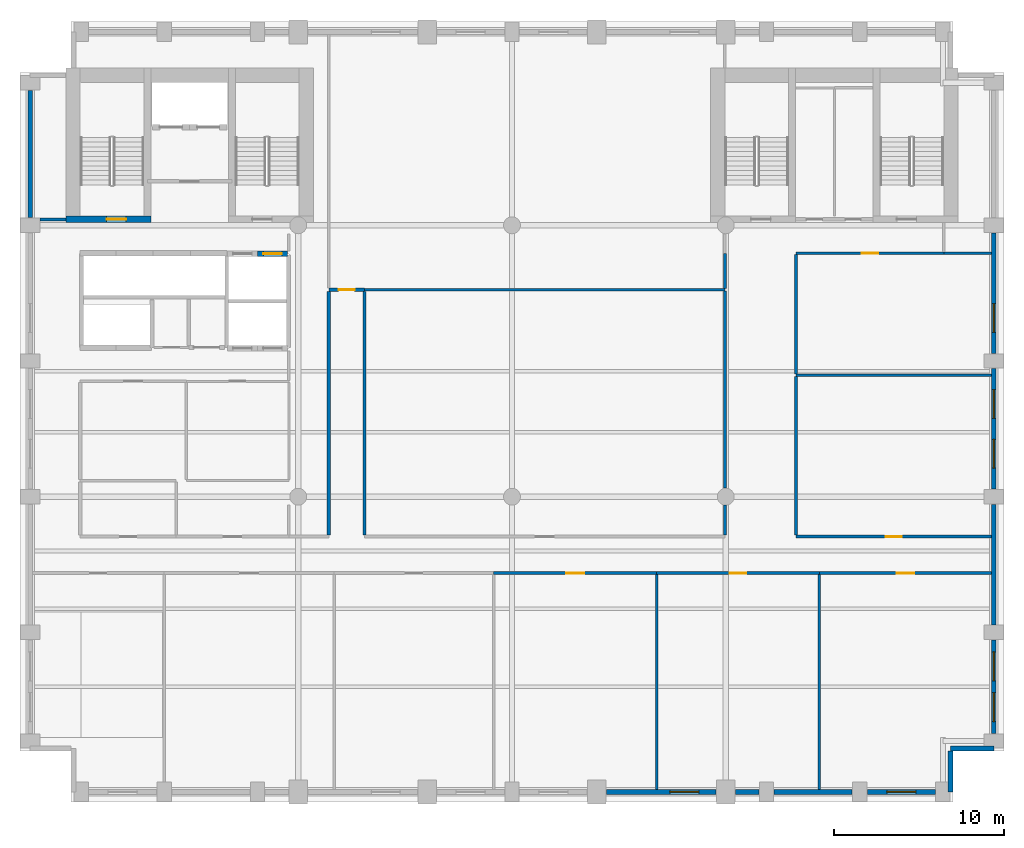
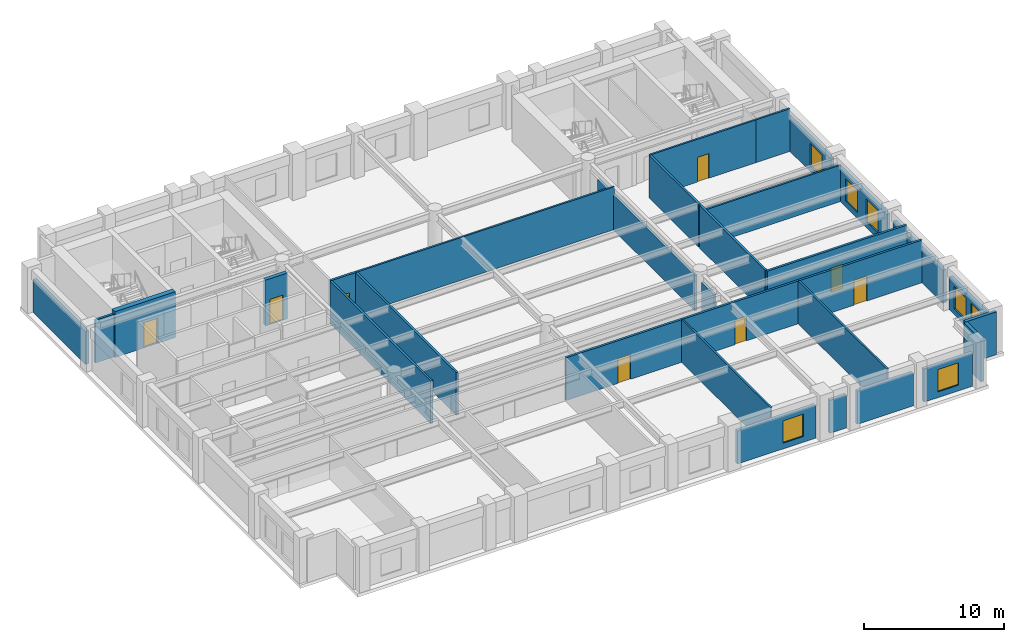
# One storey, part 4 of 9: 32 walls, 8 doors, 7 windows, 15 openings.
"""IFC4 building model written with IfcOpenShell, lengths in metres."""

from ifc_helpers import new_model, si_unit, direction, frame, frame_2d, origin, place, context, subcontext, project, spatial, rectangle, extrude, material, layer, layer_set, type_object, element, fill, save


model = new_model("IFC4")

# Units and contexts
model_context = context("Model", 3, precision=1e-05, world=origin(), true_north=direction((0.0, 1.0)))
body_context = subcontext(model_context, "Body", "Model", "MODEL_VIEW")
ifc_project = project(units=[si_unit("LENGTHUNIT", "METRE"), si_unit("AREAUNIT", "SQUARE_METRE"), si_unit("VOLUMEUNIT", "CUBIC_METRE"), si_unit("PLANEANGLEUNIT", "RADIAN"), si_unit("MASSUNIT", "GRAM", prefix="KILO")], contexts=[model_context])

# Site, building, storey
site_placement = place(None, origin())
site = spatial("IfcSite", under=ifc_project, at=site_placement, CompositionType="ELEMENT")
building_placement = place(site_placement, origin())
building = spatial("IfcBuilding", under=site, at=building_placement, Name="Sulina Concourse Tower", CompositionType="ELEMENT")
storey_placement = place(building_placement, frame((0.0, 0.0, 96.60009765625)))
storey = spatial("IfcBuildingStorey", under=building, at=storey_placement, Name="L23", CompositionType="ELEMENT", Elevation=96.60009765625)

# Wall, opening, door
ifc_material_1 = material(Name="Concrete C50/60", Category="concrete")
ifc_layer_1 = layer(ifc_material_1, 0.300048828125)
ifc_layer_set_1 = layer_set([ifc_layer_1], Name="Concrete C50/60")
wall_type_1 = type_object("IfcWallType", Name="Core Lift Hoistway Wall 300mm", PredefinedType="SOLIDWALL", material=ifc_layer_set_1)
wall_1_placement = place(storey_placement, frame((14.0, 32.320068359375, 0.0), z_axis=(0.0, 0.0, 1.0), x_axis=(1.0, 0.0, 0.0)))
wall_1 = element("IfcWall", 1, at=wall_1_placement, inside=storey, type_object=wall_type_1, Name="L23 hoistway enclosure wall LP-08", PredefinedType="SOLIDWALL", context=body_context, shape_type="SweptSolid", body=[
    extrude(rectangle(XDim=1.780029296875, YDim=0.300048828125, at=frame_2d((0.89013671875, 0.0))), origin(), (0.0, 0.0, 1.0), 4.0),
])
opening_1_placement = place(wall_1_placement, frame((0.340087890625, 0.0, 0.0)))
opening_1 = element("IfcOpeningElement", 2, at=opening_1_placement, cuts=wall_1, Name="Opening LD-01", PredefinedType="OPENING", context=body_context, shape_type="SweptSolid", body=[
    extrude(rectangle(XDim=1.10009765625, YDim=2.199951171875, at=frame_2d((0.550048828125, 1.10009765625))), frame((0.0, 0.159912109375, 0.0), z_axis=(0.0, -1.0, 0.0), x_axis=(1.0, 0.0, 0.0)), (0.0, 0.0, 1.0), 0.320068359375),
])
ifc_material_2 = material(Name="Stainless steel lift landing door", Category="steel")
ifc_layer_2 = layer(ifc_material_2, 0.050048828125)
ifc_layer_set_2 = layer_set([ifc_layer_2], Name="Stainless steel lift landing door")
door_type_1 = type_object("IfcDoorType", Name="Passenger Lift Sliding Landing Door 1100x2200", OperationType="SLIDING_TO_LEFT", PredefinedType="DOOR", material=ifc_layer_set_2)
door_1_placement = place(opening_1_placement, origin())
door_1 = element("IfcDoor", 3, at=door_1_placement, inside=storey, type_object=door_type_1, Name="L23 lift landing sliding door LP-08", OperationType="SLIDING_TO_RIGHT", OverallHeight=2.199951171875, OverallWidth=1.10009765625, PredefinedType="DOOR", context=body_context, shape_type="SweptSolid", body=[
    extrude(rectangle(XDim=1.10009765625, YDim=2.199951171875, at=frame_2d((0.550048828125, 1.10009765625))), frame((0.0, 0.02490234375, 0.0), z_axis=(0.0, -1.0, 0.0), x_axis=(1.0, 0.0, 0.0)), (0.0, 0.0, 1.0), 0.050048828125),
])
fill(opening_1, door_1)

# Walls
ifc_material_3 = material(Name="Gypsum board on steel stud", Category="steel")
ifc_layer_3 = layer(ifc_material_3, 0.14990234375)
ifc_layer_set_3 = layer_set([ifc_layer_3], Name="Gypsum board on steel stud")
wall_type_2 = type_object("IfcWallType", Name="Inter-Tenancy Acoustic Partition 150mm", PredefinedType="PARTITIONING", material=ifc_layer_set_3)
wall_2_placement = place(storey_placement, frame((45.75, 25.14990234375, 0.0), z_axis=(0.0, 0.0, 1.0), x_axis=(1.0, 0.0, 0.0)))
element("IfcWall", 4, at=wall_2_placement, inside=storey, type_object=wall_type_2, Name="L23 interior partition 016", PredefinedType="PARTITIONING", context=body_context, shape_type="SweptSolid", body=[
    extrude(rectangle(XDim=11.510009765625, YDim=0.14990234375, at=frame_2d((5.7548828125, 0.0))), origin(), (0.0, 0.0, 1.0), 3.169921875),
])
wall_3_placement = place(storey_placement, frame((20.300048828125, 30.199951171875, 0.0), z_axis=(0.0, 0.0, 1.0), x_axis=(1.0, 0.0, 0.0)))
element("IfcWall", 5, at=wall_3_placement, inside=storey, type_object=wall_type_2, Name="L23 interior partition 020", PredefinedType="PARTITIONING", context=body_context, shape_type="SweptSolid", body=[
    extrude(rectangle(XDim=21.25, YDim=0.14990234375, at=frame_2d((10.625, 0.0))), origin(), (0.0, 0.0, 1.0), 3.724853515625),
])

# Wall, opening, door
wall_4_placement = place(storey_placement, frame((45.75, 32.35009765625, 0.0), z_axis=(0.0, 0.0, 1.0), x_axis=(1.0, 0.0, 0.0)))
wall_4 = element("IfcWall", 6, at=wall_4_placement, inside=storey, type_object=wall_type_2, Name="L23 interior partition 021", PredefinedType="PARTITIONING", context=body_context, shape_type="SweptSolid", body=[
    extrude(rectangle(XDim=8.699951171875, YDim=0.14990234375, at=frame_2d((4.35009765625, 0.0))), origin(), (0.0, 0.0, 1.0), 3.724853515625),
])
opening_2_placement = place(wall_4_placement, frame((3.875, 0.0, 0.0)))
opening_2 = element("IfcOpeningElement", 7, at=opening_2_placement, cuts=wall_4, Name="Opening DR-19", PredefinedType="OPENING", context=body_context, shape_type="SweptSolid", body=[
    extrude(rectangle(XDim=0.949951171875, YDim=2.14990234375, at=frame_2d((0.47509765625, 1.074951171875))), frame((0.0, 0.0849609375, 0.0), z_axis=(0.0, -1.0, 0.0), x_axis=(1.0, 0.0, 0.0)), (0.0, 0.0, 1.0), 0.169921875),
])
ifc_material_4 = material(Name="Oak-veneered acoustic timber leaf", Category="wood")
ifc_layer_4 = layer(ifc_material_4, 0.050048828125)
ifc_layer_set_4 = layer_set([ifc_layer_4], Name="Oak-veneered acoustic timber leaf")
door_type_2 = type_object("IfcDoorType", Name="Cellular Office & Meeting Door 950x2150", OperationType="NOTDEFINED", PredefinedType="DOOR", material=ifc_layer_set_4)
door_2_placement = place(opening_2_placement, origin())
door_2 = element("IfcDoor", 8, at=door_2_placement, inside=storey, type_object=door_type_2, Name="L23 interior door L23-NE2", OperationType="SINGLE_SWING_LEFT", OverallHeight=2.14990234375, OverallWidth=0.949951171875, PredefinedType="DOOR", context=body_context, shape_type="SweptSolid", body=[
    extrude(rectangle(XDim=0.949951171875, YDim=2.14990234375, at=frame_2d((0.47509765625, 1.074951171875))), frame((0.0, 0.02490234375, 0.0), z_axis=(0.0, -1.0, 0.0), x_axis=(1.0, 0.0, 0.0)), (0.0, 0.0, 1.0), 0.050048828125),
])
fill(opening_2, door_2)

# Walls
wall_5_placement = place(storey_placement, frame((54.449951171875, 32.35009765625, 0.0), z_axis=(0.0, 0.0, 1.0), x_axis=(1.0, 0.0, 0.0)))
element("IfcWall", 9, at=wall_5_placement, inside=storey, type_object=wall_type_2, Name="L23 interior partition 022", PredefinedType="PARTITIONING", context=body_context, shape_type="SweptSolid", body=[
    extrude(rectangle(XDim=2.81005859375, YDim=0.14990234375, at=frame_2d((1.405029296875, 0.0))), origin(), (0.0, 0.0, 1.0), 3.724853515625),
])
for number, where, z_axis, x_axis, name in (
    (10, (37.52001953125, 0.739990234375, 0.0), (0.0, 0.0, 1.0), (0.0, 1.0, 0.0), "L23 interior partition 041"),
    (11, (47.1201171875, 0.739990234375, 0.0), (0.0, 0.0, 1.0), (0.0, 1.0, 0.0), "L23 interior partition 049"),
):
    element("IfcWall", number, at=place(storey_placement, frame(where, z_axis=z_axis, x_axis=x_axis)), inside=storey, type_object=wall_type_2, Name=name, PredefinedType="PARTITIONING", context=body_context, shape_type="SweptSolid", body=[
        extrude(rectangle(XDim=12.669921875, YDim=0.14990234375, at=frame_2d((6.3349609375, 0.0))), origin(), (0.0, 0.0, 1.0), 3.724853515625),
    ])

# Wall, opening, door
ifc_material_5 = material(Name="Gypsum board on steel stud", Category="steel")
ifc_layer_5 = layer(ifc_material_5, 0.179931640625)
ifc_layer_set_5 = layer_set([ifc_layer_5], Name="Gypsum board on steel stud")
wall_type_3 = type_object("IfcWallType", Name="Protected Corridor & Riser Partition 180mm", PredefinedType="PARTITIONING", material=ifc_layer_set_5)
wall_6_placement = place(storey_placement, frame((27.919921875, 13.5, 0.0), z_axis=(0.0, 0.0, 1.0), x_axis=(1.0, 0.0, 0.0)))
wall_6 = element("IfcWall", 12, at=wall_6_placement, inside=storey, type_object=wall_type_3, Name="L23 interior partition 004", PredefinedType="PARTITIONING", context=body_context, shape_type="SweptSolid", body=[
    extrude(rectangle(XDim=9.60009765625, YDim=0.179931640625, at=frame_2d((4.800048828125, 0.0))), origin(), (0.0, 0.0, 1.0), 3.724853515625),
])
opening_3_placement = place(wall_6_placement, frame((4.27490234375, 0.0, 0.0)))
opening_3 = element("IfcOpeningElement", 13, at=opening_3_placement, cuts=wall_6, Name="Opening DR-37", PredefinedType="OPENING", context=body_context, shape_type="SweptSolid", body=[
    extrude(rectangle(XDim=1.050048828125, YDim=2.14990234375, at=frame_2d((0.52490234375, 1.074951171875))), frame((0.0, 0.099853515625, 0.0), z_axis=(0.0, -1.0, 0.0), x_axis=(1.0, 0.0, 0.0)), (0.0, 0.0, 1.0), 0.199951171875),
])
ifc_material_6 = material(Name="Oak-veneered fire door leaf")
ifc_layer_6 = layer(ifc_material_6, 0.050048828125)
ifc_layer_set_6 = layer_set([ifc_layer_6], Name="Oak-veneered fire door leaf")
door_type_3 = type_object("IfcDoorType", Name="Tenant Suite Entrance Fire Door 1050x2150", OperationType="NOTDEFINED", PredefinedType="DOOR", material=ifc_layer_set_6)
door_3_placement = place(opening_3_placement, origin())
door_3 = element("IfcDoor", 14, at=door_3_placement, inside=storey, type_object=door_type_3, Name="L23 interior door L23-S04", OperationType="SINGLE_SWING_RIGHT", OverallHeight=2.14990234375, OverallWidth=1.050048828125, PredefinedType="DOOR", context=body_context, shape_type="SweptSolid", body=[
    extrude(rectangle(XDim=1.050048828125, YDim=2.14990234375, at=frame_2d((0.52490234375, 1.074951171875))), frame((0.0, 0.02490234375, 0.0), z_axis=(0.0, -1.0, 0.0), x_axis=(1.0, 0.0, 0.0)), (0.0, 0.0, 1.0), 0.050048828125),
])
fill(opening_3, door_3)

wall_7_placement = place(storey_placement, frame((37.52001953125, 13.5, 0.0), z_axis=(0.0, 0.0, 1.0), x_axis=(1.0, 0.0, 0.0)))
wall_7 = element("IfcWall", 15, at=wall_7_placement, inside=storey, type_object=wall_type_3, Name="L23 interior partition 005", PredefinedType="PARTITIONING", context=body_context, shape_type="SweptSolid", body=[
    extrude(rectangle(XDim=9.60009765625, YDim=0.179931640625, at=frame_2d((4.800048828125, 0.0))), origin(), (0.0, 0.0, 1.0), 3.724853515625),
])
opening_4_placement = place(wall_7_placement, frame((4.324951171875, 0.0, 0.0)))
opening_4 = element("IfcOpeningElement", 16, at=opening_4_placement, cuts=wall_7, Name="Opening DR-19", PredefinedType="OPENING", context=body_context, shape_type="SweptSolid", body=[
    extrude(rectangle(XDim=0.949951171875, YDim=2.14990234375, at=frame_2d((0.47509765625, 1.074951171875))), frame((0.0, 0.099853515625, 0.0), z_axis=(0.0, -1.0, 0.0), x_axis=(1.0, 0.0, 0.0)), (0.0, 0.0, 1.0), 0.199951171875),
])
door_4_placement = place(opening_4_placement, origin())
door_4 = element("IfcDoor", 17, at=door_4_placement, inside=storey, type_object=door_type_2, Name="L23 interior door L23-S05", OperationType="SINGLE_SWING_LEFT", OverallHeight=2.14990234375, OverallWidth=0.949951171875, PredefinedType="DOOR", context=body_context, shape_type="SweptSolid", body=[
    extrude(rectangle(XDim=0.949951171875, YDim=2.14990234375, at=frame_2d((0.47509765625, 1.074951171875))), frame((0.0, 0.02490234375, 0.0), z_axis=(0.0, -1.0, 0.0), x_axis=(1.0, 0.0, 0.0)), (0.0, 0.0, 1.0), 0.050048828125),
])
fill(opening_4, door_4)

wall_8_placement = place(storey_placement, frame((47.1201171875, 13.5, 0.0), z_axis=(0.0, 0.0, 1.0), x_axis=(1.0, 0.0, 0.0)))
wall_8 = element("IfcWall", 18, at=wall_8_placement, inside=storey, type_object=wall_type_3, Name="L23 interior partition 006", PredefinedType="PARTITIONING", context=body_context, shape_type="SweptSolid", body=[
    extrude(rectangle(XDim=10.139892578125, YDim=0.179931640625, at=frame_2d((5.06982421875, 0.0))), origin(), (0.0, 0.0, 1.0), 3.724853515625),
])
opening_5_placement = place(wall_8_placement, frame((4.544921875, 0.0, 0.0)))
opening_5 = element("IfcOpeningElement", 19, at=opening_5_placement, cuts=wall_8, Name="Opening DR-37", PredefinedType="OPENING", context=body_context, shape_type="SweptSolid", body=[
    extrude(rectangle(XDim=1.050048828125, YDim=2.14990234375, at=frame_2d((0.52490234375, 1.074951171875))), frame((0.0, 0.099853515625, 0.0), z_axis=(0.0, -1.0, 0.0), x_axis=(1.0, 0.0, 0.0)), (0.0, 0.0, 1.0), 0.199951171875),
])
door_5_placement = place(opening_5_placement, origin())
door_5 = element("IfcDoor", 20, at=door_5_placement, inside=storey, type_object=door_type_3, Name="L23 interior door L23-S06", OperationType="SINGLE_SWING_RIGHT", OverallHeight=2.14990234375, OverallWidth=1.050048828125, PredefinedType="DOOR", context=body_context, shape_type="SweptSolid", body=[
    extrude(rectangle(XDim=1.050048828125, YDim=2.14990234375, at=frame_2d((0.52490234375, 1.074951171875))), frame((0.0, 0.02490234375, 0.0), z_axis=(0.0, -1.0, 0.0), x_axis=(1.0, 0.0, 0.0)), (0.0, 0.0, 1.0), 0.050048828125),
])
fill(opening_5, door_5)

wall_9_placement = place(storey_placement, frame((45.75, 15.64990234375, 0.0), z_axis=(0.0, 0.0, 1.0), x_axis=(1.0, 0.0, 0.0)))
wall_9 = element("IfcWall", 21, at=wall_9_placement, inside=storey, type_object=wall_type_3, Name="L23 interior partition 011", PredefinedType="PARTITIONING", context=body_context, shape_type="SweptSolid", body=[
    extrude(rectangle(XDim=11.510009765625, YDim=0.179931640625, at=frame_2d((5.7548828125, 0.0))), origin(), (0.0, 0.0, 1.0), 3.724853515625),
])
opening_6_placement = place(wall_9_placement, frame((5.280029296875, 0.0, 0.0)))
opening_6 = element("IfcOpeningElement", 22, at=opening_6_placement, cuts=wall_9, Name="Opening DR-19", PredefinedType="OPENING", context=body_context, shape_type="SweptSolid", body=[
    extrude(rectangle(XDim=0.949951171875, YDim=2.14990234375, at=frame_2d((0.47509765625, 1.074951171875))), frame((0.0, 0.099853515625, 0.0), z_axis=(0.0, -1.0, 0.0), x_axis=(1.0, 0.0, 0.0)), (0.0, 0.0, 1.0), 0.199951171875),
])
door_6_placement = place(opening_6_placement, origin())
door_6 = element("IfcDoor", 23, at=door_6_placement, inside=storey, type_object=door_type_2, Name="L23 interior door L23-NE1", OperationType="SINGLE_SWING_RIGHT", OverallHeight=2.14990234375, OverallWidth=0.949951171875, PredefinedType="DOOR", context=body_context, shape_type="SweptSolid", body=[
    extrude(rectangle(XDim=0.949951171875, YDim=2.14990234375, at=frame_2d((0.47509765625, 1.074951171875))), frame((0.0, 0.02490234375, 0.0), z_axis=(0.0, -1.0, 0.0), x_axis=(1.0, 0.0, 0.0)), (0.0, 0.0, 1.0), 0.050048828125),
])
fill(opening_6, door_6)

wall_10_placement = place(storey_placement, frame((18.199951171875, 30.199951171875, 0.0), z_axis=(0.0, 0.0, 1.0), x_axis=(1.0, 0.0, 0.0)))
wall_10 = element("IfcWall", 24, at=wall_10_placement, inside=storey, type_object=wall_type_3, Name="L23 interior partition 019", PredefinedType="PARTITIONING", context=body_context, shape_type="SweptSolid", body=[
    extrude(rectangle(XDim=2.10009765625, YDim=0.179931640625, at=frame_2d((1.050048828125, 0.0))), origin(), (0.0, 0.0, 1.0), 3.724853515625),
])
opening_7_placement = place(wall_10_placement, frame((0.574951171875, 0.0, 0.0)))
opening_7 = element("IfcOpeningElement", 25, at=opening_7_placement, cuts=wall_10, Name="Opening DR-19", PredefinedType="OPENING", context=body_context, shape_type="SweptSolid", body=[
    extrude(rectangle(XDim=0.949951171875, YDim=2.14990234375, at=frame_2d((0.47509765625, 1.074951171875))), frame((0.0, 0.099853515625, 0.0), z_axis=(0.0, -1.0, 0.0), x_axis=(1.0, 0.0, 0.0)), (0.0, 0.0, 1.0), 0.199951171875),
])
door_7_placement = place(opening_7_placement, origin())
door_7 = element("IfcDoor", 26, at=door_7_placement, inside=storey, type_object=door_type_2, Name="L23 interior door L23-NC4", OperationType="SINGLE_SWING_RIGHT", OverallHeight=2.14990234375, OverallWidth=0.949951171875, PredefinedType="DOOR", context=body_context, shape_type="SweptSolid", body=[
    extrude(rectangle(XDim=0.949951171875, YDim=2.14990234375, at=frame_2d((0.47509765625, 1.074951171875))), frame((0.0, 0.02490234375, 0.0), z_axis=(0.0, -1.0, 0.0), x_axis=(1.0, 0.0, 0.0)), (0.0, 0.0, 1.0), 0.050048828125),
])
fill(opening_7, door_7)

# Walls
wall_11_placement = place(storey_placement, frame((1.175048828125, 34.35009765625, 0.0), z_axis=(0.0, 0.0, 1.0), x_axis=(1.0, 0.0, 0.0)))
element("IfcWall", 27, at=wall_11_placement, inside=storey, type_object=wall_type_3, Name="L23 interior partition 023", PredefinedType="PARTITIONING", context=body_context, shape_type="SweptSolid", body=[
    extrude(rectangle(XDim=1.52490234375, YDim=0.179931640625, at=frame_2d((0.762451171875, 0.0))), origin(), (0.0, 0.0, 1.0), 3.724853515625),
])
for number, where, z_axis, x_axis, name in (
    (28, (18.199951171875, 15.739990234375, 0.0), (0.0, 0.0, 1.0), (0.0, 1.0, 0.0), "L23 interior partition 036"),
    (29, (20.300048828125, 15.739990234375, 0.0), (0.0, 0.0, 1.0), (0.0, 1.0, 0.0), "L23 interior partition 039"),
):
    element("IfcWall", number, at=place(storey_placement, frame(where, z_axis=z_axis, x_axis=x_axis)), inside=storey, type_object=wall_type_3, Name=name, PredefinedType="PARTITIONING", context=body_context, shape_type="SweptSolid", body=[
        extrude(rectangle(XDim=14.3701171875, YDim=0.179931640625, at=frame_2d((7.18505859375, 0.0))), origin(), (0.0, 0.0, 1.0), 3.724853515625),
    ])
wall_12_placement = place(storey_placement, frame((41.550048828125, 15.739990234375, 0.0), z_axis=(0.0, 0.0, 1.0), x_axis=(0.0, 1.0, 0.0)))
element("IfcWall", 30, at=wall_12_placement, inside=storey, type_object=wall_type_3, Name="L23 interior partition 042", PredefinedType="PARTITIONING", context=body_context, shape_type="SweptSolid", body=[
    extrude(rectangle(XDim=1.760009765625, YDim=0.179931640625, at=frame_2d((0.8798828125, 0.0))), origin(), (0.0, 0.0, 1.0), 3.06982421875),
])
wall_13_placement = place(storey_placement, frame((41.550048828125, 18.5, 0.0), z_axis=(0.0, 0.0, 1.0), x_axis=(0.0, 1.0, 0.0)))
element("IfcWall", 31, at=wall_13_placement, inside=storey, type_object=wall_type_3, Name="L23 interior partition 043", PredefinedType="PARTITIONING", context=body_context, shape_type="SweptSolid", body=[
    extrude(rectangle(XDim=11.625, YDim=0.179931640625, at=frame_2d((5.8125, 0.0))), origin(), (0.0, 0.0, 1.0), 3.06982421875),
])
wall_14_placement = place(storey_placement, frame((41.550048828125, 30.27490234375, 0.0), z_axis=(0.0, 0.0, 1.0), x_axis=(0.0, 1.0, 0.0)))
element("IfcWall", 32, at=wall_14_placement, inside=storey, type_object=wall_type_3, Name="L23 interior partition 044", PredefinedType="PARTITIONING", context=body_context, shape_type="SweptSolid", body=[
    extrude(rectangle(XDim=2.0751953125, YDim=0.179931640625, at=frame_2d((1.03759765625, 0.0))), origin(), (0.0, 0.0, 1.0), 3.06982421875),
])
wall_15_placement = place(storey_placement, frame((45.75, 15.739990234375, 0.0), z_axis=(0.0, 0.0, 1.0), x_axis=(0.0, 1.0, 0.0)))
element("IfcWall", 33, at=wall_15_placement, inside=storey, type_object=wall_type_3, Name="L23 interior partition 047", PredefinedType="PARTITIONING", context=body_context, shape_type="SweptSolid", body=[
    extrude(rectangle(XDim=9.3349609375, YDim=0.179931640625, at=frame_2d((4.66748046875, 0.0))), origin(), (0.0, 0.0, 1.0), 3.724853515625),
])
wall_16_placement = place(storey_placement, frame((45.75, 25.22509765625, 0.0), z_axis=(0.0, 0.0, 1.0), x_axis=(0.0, 1.0, 0.0)))
element("IfcWall", 34, at=wall_16_placement, inside=storey, type_object=wall_type_3, Name="L23 interior partition 048", PredefinedType="PARTITIONING", context=body_context, shape_type="SweptSolid", body=[
    extrude(rectangle(XDim=7.0498046875, YDim=0.179931640625, at=frame_2d((3.52490234375, 0.0))), origin(), (0.0, 0.0, 1.0), 3.724853515625),
])

# Wall, opening, door
ifc_material_7 = material(Name="Concrete C60/75", Category="concrete")
ifc_layer_7 = layer(ifc_material_7, 0.39990234375)
ifc_layer_set_7 = layer_set([ifc_layer_7], Name="Concrete C60/75")
wall_type_4 = type_object("IfcWallType", Name="Protected Stair Core Shear Wall 400mm", PredefinedType="SHEAR", material=ifc_layer_set_7)
wall_17_placement = place(storey_placement, frame((2.699951171875, 34.35009765625, 0.0), z_axis=(0.0, 0.0, 1.0), x_axis=(1.0, 0.0, 0.0)))
wall_17 = element("IfcWall", 35, at=wall_17_placement, inside=storey, type_object=wall_type_4, Name="L23 west core shear wall CW-WS1", PredefinedType="SHEAR", context=body_context, shape_type="SweptSolid", body=[
    extrude(rectangle(XDim=5.010009765625, YDim=0.39990234375, at=frame_2d((2.5048828125, 0.0))), origin(), (0.0, 0.0, 1.0), 4.0),
])
opening_8_placement = place(wall_17_placement, frame((2.39990234375, 0.0, 0.0)))
opening_8 = element("IfcOpeningElement", 36, at=opening_8_placement, cuts=wall_17, Name="Opening DR-60", PredefinedType="OPENING", context=body_context, shape_type="SweptSolid", body=[
    extrude(rectangle(XDim=1.14990234375, YDim=2.199951171875, at=frame_2d((0.574951171875, 1.10009765625))), frame((0.0, 0.2099609375, 0.0), z_axis=(0.0, -1.0, 0.0), x_axis=(1.0, 0.0, 0.0)), (0.0, 0.0, 1.0), 0.419921875),
])
ifc_material_8 = material(Name="Galvanised steel acoustic fire leaf", Category="steel")
ifc_layer_8 = layer(ifc_material_8, 0.054931640625)
ifc_layer_set_8 = layer_set([ifc_layer_8], Name="Galvanised steel acoustic fire leaf")
door_type_4 = type_object("IfcDoorType", Name="Protected Exit Stair Fire Door 1150x2200", OperationType="NOTDEFINED", PredefinedType="DOOR", material=ifc_layer_set_8)
door_8_placement = place(opening_8_placement, origin())
door_8 = element("IfcDoor", 37, at=door_8_placement, inside=storey, type_object=door_type_4, Name="L23 stair ST-1 lobby fire door", OperationType="SINGLE_SWING_RIGHT", OverallHeight=2.199951171875, OverallWidth=1.14990234375, PredefinedType="DOOR", context=body_context, shape_type="SweptSolid", body=[
    extrude(rectangle(XDim=1.14990234375, YDim=2.199951171875, at=frame_2d((0.574951171875, 1.10009765625))), frame((0.0, 0.02490234375, 0.0), z_axis=(0.0, -1.0, 0.0), x_axis=(1.0, 0.0, 0.0)), (0.0, 0.0, 1.0), 0.050048828125),
])
fill(opening_8, door_8)

# Wall, opening, window
ifc_material_9 = material(Name="Precast concrete C50/60", Category="concrete")
ifc_layer_9 = layer(ifc_material_9, 0.280029296875)
ifc_layer_set_9 = layer_set([ifc_layer_9], Name="Precast concrete C50/60")
wall_type_5 = type_object("IfcWallType", Name="Typical Precast Masonry-Frame Facade Wall 280mm", PredefinedType="SOLIDWALL", material=ifc_layer_set_9)
wall_18_placement = place(storey_placement, frame((41.030029296875, 0.60009765625, 0.0), z_axis=(0.0, 0.0, 1.0), x_axis=(-1.0, 0.0, 0.0)))
wall_18 = element("IfcWall", 38, at=wall_18_placement, inside=storey, type_object=wall_type_5, Name="L23 exterior precast wall S7", PredefinedType="SOLIDWALL", context=body_context, shape_type="SweptSolid", body=[
    extrude(rectangle(XDim=6.4599609375, YDim=0.280029296875, at=frame_2d((3.22998046875, 0.0))), origin(), (0.0, 0.0, 1.0), 2.875),
])
opening_9_placement = place(wall_18_placement, frame((1.02001953125, 0.0, 0.5)))
opening_9 = element("IfcOpeningElement", 39, at=opening_9_placement, cuts=wall_18, Name="Opening WN-66", PredefinedType="OPENING", context=body_context, shape_type="SweptSolid", body=[
    extrude(rectangle(XDim=1.699951171875, YDim=1.949951171875, at=frame_2d((0.85009765625, 0.97509765625))), frame((0.0, 0.14990234375, 0.0), z_axis=(0.0, -1.0, 0.0), x_axis=(1.0, 0.0, 0.0)), (0.0, 0.0, 1.0), 0.300048828125),
])
ifc_material_10 = material(Name="Low-E solar double glazing in bronze aluminium", Category="aluminium")
window_type = type_object("IfcWindowType", Name="Recessed Spandrel Window 1700x1950", PartitioningType="SINGLE_PANEL", PredefinedType="WINDOW", material=ifc_material_10)
window_1_placement = place(opening_9_placement, origin())
window_1 = element("IfcWindow", 40, at=window_1_placement, inside=storey, type_object=window_type, Name="L23 punched window S7-1", OverallHeight=1.949951171875, OverallWidth=1.699951171875, PartitioningType="SINGLE_PANEL", PredefinedType="WINDOW", context=body_context, shape_type="SweptSolid", body=[
    extrude(rectangle(XDim=1.699951171875, YDim=1.949951171875, at=frame_2d((0.85009765625, 0.97509765625))), frame((0.0, 0.030029296875, 0.0), z_axis=(0.0, -1.0, 0.0), x_axis=(1.0, 0.0, 0.0)), (0.0, 0.0, 1.0), 0.06005859375),
])
fill(opening_9, window_1)

# Walls
wall_19_placement = place(storey_placement, frame((43.554931640625, 0.60009765625, 0.0), z_axis=(0.0, 0.0, 1.0), x_axis=(-1.0, 0.0, 0.0)))
element("IfcWall", 41, at=wall_19_placement, inside=storey, type_object=wall_type_5, Name="L23 exterior precast wall S8", PredefinedType="SOLIDWALL", context=body_context, shape_type="SweptSolid", body=[
    extrude(rectangle(XDim=1.385009765625, YDim=0.280029296875, at=frame_2d((0.6923828125, 0.0))), origin(), (0.0, 0.0, 1.0), 2.875),
])
wall_20_placement = place(storey_placement, frame((49.054931640625, 0.60009765625, 0.0), z_axis=(0.0, 0.0, 1.0), x_axis=(-1.0, 0.0, 0.0)))
element("IfcWall", 42, at=wall_20_placement, inside=storey, type_object=wall_type_5, Name="L23 exterior precast wall S9", PredefinedType="SOLIDWALL", context=body_context, shape_type="SweptSolid", body=[
    extrude(rectangle(XDim=4.60986328125, YDim=0.280029296875, at=frame_2d((2.304931640625, 0.0))), origin(), (0.0, 0.0, 1.0), 2.875),
])

# Wall, opening, window
wall_21_placement = place(storey_placement, frame((53.955078125, 0.60009765625, 0.0), z_axis=(0.0, 0.0, 1.0), x_axis=(-1.0, 0.0, 0.0)))
wall_21 = element("IfcWall", 43, at=wall_21_placement, inside=storey, type_object=wall_type_5, Name="L23 exterior precast wall S10", PredefinedType="SOLIDWALL", context=body_context, shape_type="SweptSolid", body=[
    extrude(rectangle(XDim=4.010009765625, YDim=0.280029296875, at=frame_2d((2.0048828125, 0.0))), origin(), (0.0, 0.0, 1.0), 2.875),
])
opening_10_placement = place(wall_21_placement, frame((1.155029296875, 0.0, 0.5)))
opening_10 = element("IfcOpeningElement", 44, at=opening_10_placement, cuts=wall_21, Name="Opening WN-66", PredefinedType="OPENING", context=body_context, shape_type="SweptSolid", body=[
    extrude(rectangle(XDim=1.699951171875, YDim=1.949951171875, at=frame_2d((0.85009765625, 0.97509765625))), frame((0.0, 0.14990234375, 0.0), z_axis=(0.0, -1.0, 0.0), x_axis=(1.0, 0.0, 0.0)), (0.0, 0.0, 1.0), 0.300048828125),
])
window_2_placement = place(opening_10_placement, origin())
window_2 = element("IfcWindow", 45, at=window_2_placement, inside=storey, type_object=window_type, Name="L23 punched window S10-1", OverallHeight=1.949951171875, OverallWidth=1.699951171875, PartitioningType="SINGLE_PANEL", PredefinedType="WINDOW", context=body_context, shape_type="SweptSolid", body=[
    extrude(rectangle(XDim=1.699951171875, YDim=1.949951171875, at=frame_2d((0.85009765625, 0.97509765625))), frame((0.0, 0.030029296875, 0.0), z_axis=(0.0, -1.0, 0.0), x_axis=(1.0, 0.0, 0.0)), (0.0, 0.0, 1.0), 0.06005859375),
])
fill(opening_10, window_2)

# Wall
wall_22_placement = place(storey_placement, frame((0.60009765625, 34.445068359375, 0.0), z_axis=(0.0, 0.0, 1.0), x_axis=(0.0, 1.0, 0.0)))
element("IfcWall", 46, at=wall_22_placement, inside=storey, type_object=wall_type_5, Name="L23 exterior precast wall W5", PredefinedType="SOLIDWALL", context=body_context, shape_type="SweptSolid", body=[
    extrude(rectangle(XDim=7.510009765625, YDim=0.280029296875, at=frame_2d((3.7548828125, 0.0))), origin(), (0.0, 0.0, 1.0), 2.875),
])

# Wall, openings, windows
wall_23_placement = place(storey_placement, frame((57.39990234375, 9.554931640625, 0.0), z_axis=(0.0, 0.0, 1.0), x_axis=(0.0, -1.0, 0.0)))
wall_23 = element("IfcWall", 47, at=wall_23_placement, inside=storey, type_object=wall_type_5, Name="L23 exterior precast wall E1", PredefinedType="SOLIDWALL", context=body_context, shape_type="SweptSolid", body=[
    extrude(rectangle(XDim=5.510009765625, YDim=0.280029296875, at=frame_2d((2.7548828125, 0.0))), origin(), (0.0, 0.0, 1.0), 2.875),
])
opening_11_placement = place(wall_23_placement, frame((0.703369140625, 0.0, 0.5)))
opening_11 = element("IfcOpeningElement", 48, at=opening_11_placement, cuts=wall_23, Name="Opening WN-66", PredefinedType="OPENING", context=body_context, shape_type="SweptSolid", body=[
    extrude(rectangle(XDim=1.699951171875, YDim=1.949951171875, at=frame_2d((0.85009765625, 0.97509765625))), frame((0.0, 0.14990234375, 0.0), z_axis=(0.0, -1.0, 0.0), x_axis=(1.0, 0.0, 0.0)), (0.0, 0.0, 1.0), 0.300048828125),
])
opening_12_placement = place(wall_23_placement, frame((3.106689453125, 0.0, 0.5)))
opening_12 = element("IfcOpeningElement", 49, at=opening_12_placement, cuts=wall_23, Name="Opening WN-66", PredefinedType="OPENING", context=body_context, shape_type="SweptSolid", body=[
    extrude(rectangle(XDim=1.699951171875, YDim=1.949951171875, at=frame_2d((0.85009765625, 0.97509765625))), frame((0.0, 0.14990234375, 0.0), z_axis=(0.0, -1.0, 0.0), x_axis=(1.0, 0.0, 0.0)), (0.0, 0.0, 1.0), 0.300048828125),
])
window_3_placement = place(opening_11_placement, origin())
window_3 = element("IfcWindow", 50, at=window_3_placement, inside=storey, type_object=window_type, Name="L23 punched window E1-1", OverallHeight=1.949951171875, OverallWidth=1.699951171875, PartitioningType="SINGLE_PANEL", PredefinedType="WINDOW", context=body_context, shape_type="SweptSolid", body=[
    extrude(rectangle(XDim=1.699951171875, YDim=1.949951171875, at=frame_2d((0.85009765625, 0.97509765625))), frame((0.0, 0.030029296875, 0.0), z_axis=(0.0, -1.0, 0.0), x_axis=(1.0, 0.0, 0.0)), (0.0, 0.0, 1.0), 0.06005859375),
])
fill(opening_11, window_3)
window_4_placement = place(opening_12_placement, origin())
window_4 = element("IfcWindow", 51, at=window_4_placement, inside=storey, type_object=window_type, Name="L23 punched window E1-2", OverallHeight=1.949951171875, OverallWidth=1.699951171875, PartitioningType="SINGLE_PANEL", PredefinedType="WINDOW", context=body_context, shape_type="SweptSolid", body=[
    extrude(rectangle(XDim=1.699951171875, YDim=1.949951171875, at=frame_2d((0.85009765625, 0.97509765625))), frame((0.0, 0.030029296875, 0.0), z_axis=(0.0, -1.0, 0.0), x_axis=(1.0, 0.0, 0.0)), (0.0, 0.0, 1.0), 0.06005859375),
])
fill(opening_12, window_4)

# Wall
wall_24_placement = place(storey_placement, frame((57.39990234375, 17.554931640625, 0.0), z_axis=(0.0, 0.0, 1.0), x_axis=(0.0, -1.0, 0.0)))
element("IfcWall", 52, at=wall_24_placement, inside=storey, type_object=wall_type_5, Name="L23 exterior precast wall E2", PredefinedType="SOLIDWALL", context=body_context, shape_type="SweptSolid", body=[
    extrude(rectangle(XDim=7.10986328125, YDim=0.280029296875, at=frame_2d((3.554931640625, 0.0))), origin(), (0.0, 0.0, 1.0), 2.875),
])

# Wall, openings, windows
wall_25_placement = place(storey_placement, frame((57.39990234375, 25.554931640625, 0.0), z_axis=(0.0, 0.0, 1.0), x_axis=(0.0, -1.0, 0.0)))
wall_25 = element("IfcWall", 53, at=wall_25_placement, inside=storey, type_object=wall_type_5, Name="L23 exterior precast wall E3", PredefinedType="SOLIDWALL", context=body_context, shape_type="SweptSolid", body=[
    extrude(rectangle(XDim=7.10986328125, YDim=0.280029296875, at=frame_2d((3.554931640625, 0.0))), origin(), (0.0, 0.0, 1.0), 2.875),
])
opening_13_placement = place(wall_25_placement, frame((1.23681640625, 0.0, 0.5)))
opening_13 = element("IfcOpeningElement", 54, at=opening_13_placement, cuts=wall_25, Name="Opening WN-66", PredefinedType="OPENING", context=body_context, shape_type="SweptSolid", body=[
    extrude(rectangle(XDim=1.699951171875, YDim=1.949951171875, at=frame_2d((0.85009765625, 0.97509765625))), frame((0.0, 0.14990234375, 0.0), z_axis=(0.0, -1.0, 0.0), x_axis=(1.0, 0.0, 0.0)), (0.0, 0.0, 1.0), 0.300048828125),
])
opening_14_placement = place(wall_25_placement, frame((4.17333984375, 0.0, 0.5)))
opening_14 = element("IfcOpeningElement", 55, at=opening_14_placement, cuts=wall_25, Name="Opening WN-66", PredefinedType="OPENING", context=body_context, shape_type="SweptSolid", body=[
    extrude(rectangle(XDim=1.699951171875, YDim=1.949951171875, at=frame_2d((0.85009765625, 0.97509765625))), frame((0.0, 0.14990234375, 0.0), z_axis=(0.0, -1.0, 0.0), x_axis=(1.0, 0.0, 0.0)), (0.0, 0.0, 1.0), 0.300048828125),
])
window_5_placement = place(opening_13_placement, origin())
window_5 = element("IfcWindow", 56, at=window_5_placement, inside=storey, type_object=window_type, Name="L23 punched window E3-1", OverallHeight=1.949951171875, OverallWidth=1.699951171875, PartitioningType="SINGLE_PANEL", PredefinedType="WINDOW", context=body_context, shape_type="SweptSolid", body=[
    extrude(rectangle(XDim=1.699951171875, YDim=1.949951171875, at=frame_2d((0.85009765625, 0.97509765625))), frame((0.0, 0.030029296875, 0.0), z_axis=(0.0, -1.0, 0.0), x_axis=(1.0, 0.0, 0.0)), (0.0, 0.0, 1.0), 0.06005859375),
])
fill(opening_13, window_5)
window_6_placement = place(opening_14_placement, origin())
window_6 = element("IfcWindow", 57, at=window_6_placement, inside=storey, type_object=window_type, Name="L23 punched window E3-2", OverallHeight=1.949951171875, OverallWidth=1.699951171875, PartitioningType="SINGLE_PANEL", PredefinedType="WINDOW", context=body_context, shape_type="SweptSolid", body=[
    extrude(rectangle(XDim=1.699951171875, YDim=1.949951171875, at=frame_2d((0.85009765625, 0.97509765625))), frame((0.0, 0.030029296875, 0.0), z_axis=(0.0, -1.0, 0.0), x_axis=(1.0, 0.0, 0.0)), (0.0, 0.0, 1.0), 0.06005859375),
])
fill(opening_14, window_6)

# Wall, opening, window
wall_26_placement = place(storey_placement, frame((57.39990234375, 33.554931640625, 0.0), z_axis=(0.0, 0.0, 1.0), x_axis=(0.0, -1.0, 0.0)))
wall_26 = element("IfcWall", 58, at=wall_26_placement, inside=storey, type_object=wall_type_5, Name="L23 exterior precast wall E4", PredefinedType="SOLIDWALL", context=body_context, shape_type="SweptSolid", body=[
    extrude(rectangle(XDim=7.10986328125, YDim=0.280029296875, at=frame_2d((3.554931640625, 0.0))), origin(), (0.0, 0.0, 1.0), 2.875),
])
opening_15_placement = place(wall_26_placement, frame((4.17333984375, 0.0, 0.5)))
opening_15 = element("IfcOpeningElement", 59, at=opening_15_placement, cuts=wall_26, Name="Opening WN-66", PredefinedType="OPENING", context=body_context, shape_type="SweptSolid", body=[
    extrude(rectangle(XDim=1.699951171875, YDim=1.949951171875, at=frame_2d((0.85009765625, 0.97509765625))), frame((0.0, 0.14990234375, 0.0), z_axis=(0.0, -1.0, 0.0), x_axis=(1.0, 0.0, 0.0)), (0.0, 0.0, 1.0), 0.300048828125),
])
window_7_placement = place(opening_15_placement, origin())
window_7 = element("IfcWindow", 60, at=window_7_placement, inside=storey, type_object=window_type, Name="L23 punched window E4-1", OverallHeight=1.949951171875, OverallWidth=1.699951171875, PartitioningType="SINGLE_PANEL", PredefinedType="WINDOW", context=body_context, shape_type="SweptSolid", body=[
    extrude(rectangle(XDim=1.699951171875, YDim=1.949951171875, at=frame_2d((0.85009765625, 0.97509765625))), frame((0.0, 0.030029296875, 0.0), z_axis=(0.0, -1.0, 0.0), x_axis=(1.0, 0.0, 0.0)), (0.0, 0.0, 1.0), 0.06005859375),
])
fill(opening_15, window_7)

# Walls
wall_27_placement = place(storey_placement, frame((57.39990234375, 3.155029296875, 0.0), z_axis=(0.0, 0.0, 1.0), x_axis=(-1.0, 0.0, 0.0)))
element("IfcWall", 61, at=wall_27_placement, inside=storey, type_object=wall_type_5, Name="L23 exterior precast wall CSE1", PredefinedType="SOLIDWALL", context=body_context, shape_type="SweptSolid", body=[
    extrude(rectangle(XDim=2.554931640625, YDim=0.280029296875, at=frame_2d((1.27734375, 0.0))), origin(), (0.0, 0.0, 1.0), 3.724853515625),
])
wall_28_placement = place(storey_placement, frame((54.844970703125, 3.010009765625, 0.0), z_axis=(0.0, 0.0, 1.0), x_axis=(0.0, -1.0, 0.0)))
element("IfcWall", 62, at=wall_28_placement, inside=storey, type_object=wall_type_5, Name="L23 exterior precast wall CSE2", PredefinedType="SOLIDWALL", context=body_context, shape_type="SweptSolid", body=[
    extrude(rectangle(XDim=2.409912109375, YDim=0.280029296875, at=frame_2d((1.205078125, 0.0))), origin(), (0.0, 0.0, 1.0), 3.724853515625),
])

save(model, "model.ifc")
